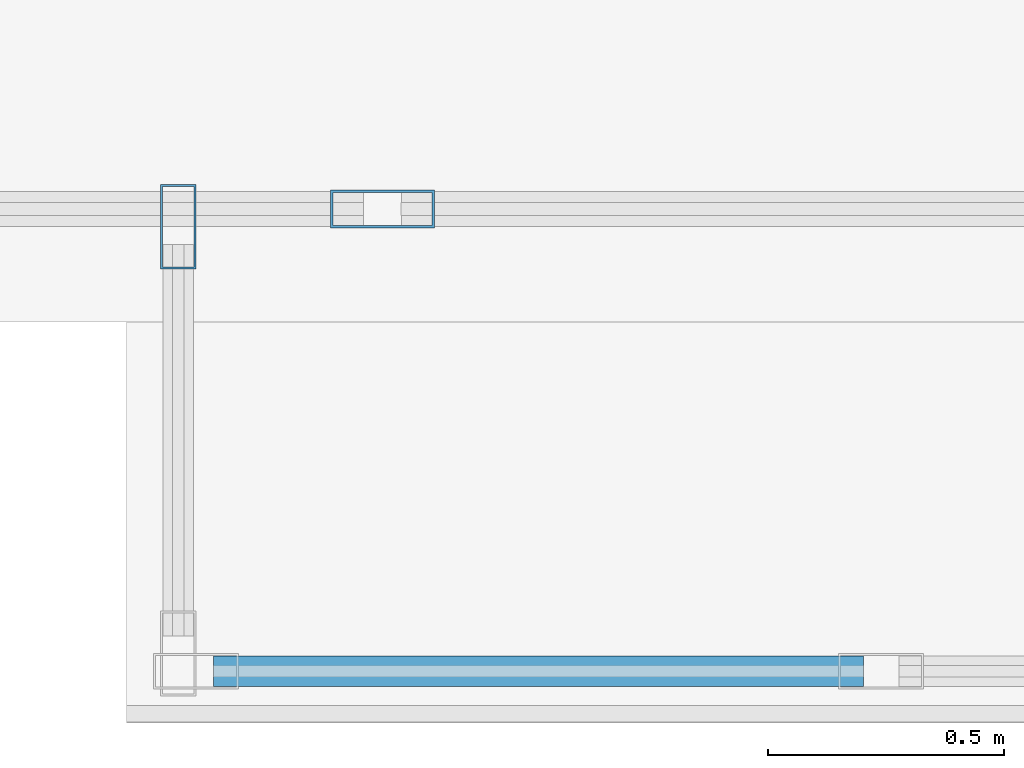
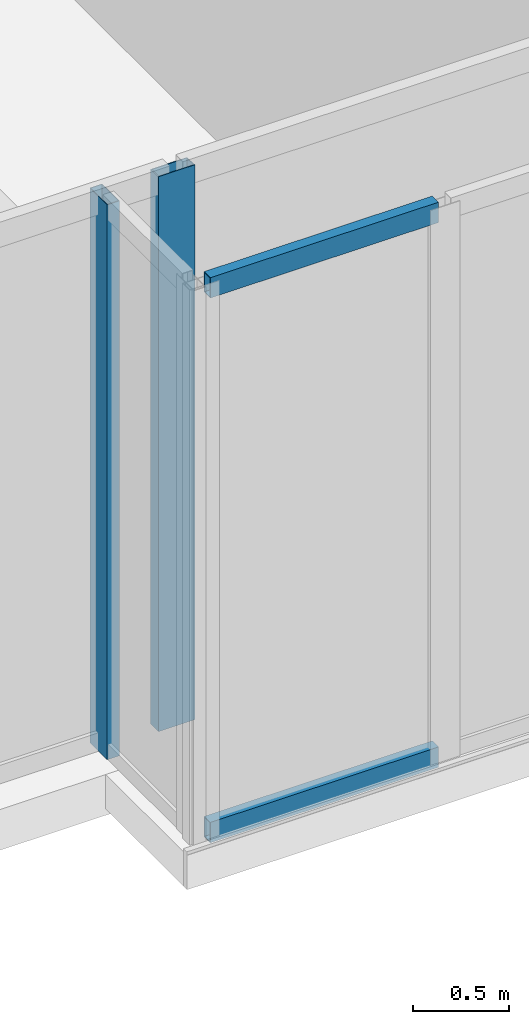
# One storey, part 5 of 29: 4 members, 3 elements without a shape of their own.
"""IFC4 building model written with IfcOpenShell, lengths in metres."""

from ifc_helpers import new_model, si_unit, direction, frame, origin, origin_with_axes, origin_2d, place, context, subcontext, project, spatial, hollow_rectangle, extrude, source, transform, mapped, material, layer, layer_set, material_profile, profile_set, type_object, element, aggregate, save


model = new_model("IFC4")

# Units and contexts
model_context = context("Model", 3, precision=1e-05, world=origin(), true_north=direction((0.0, 1.0)))
body_context = subcontext(model_context, "Body", "Model", "MODEL_VIEW")
ifc_project = project(units=[si_unit("LENGTHUNIT", "METRE"), si_unit("AREAUNIT", "SQUARE_METRE"), si_unit("VOLUMEUNIT", "CUBIC_METRE"), si_unit("PLANEANGLEUNIT", "RADIAN"), si_unit("MASSUNIT", "GRAM", prefix="KILO")], contexts=[model_context])

# Site, building, storey
site_placement = place(None, origin())
site = spatial("IfcSite", under=ifc_project, at=site_placement, CompositionType="ELEMENT")
building_placement = place(site_placement, origin())
building = spatial("IfcBuilding", under=site, at=building_placement, Name="Kolvaren Waterfront Exchange", CompositionType="ELEMENT")
storey_placement = place(building_placement, frame((0.0, 0.0, 129.699951171875)))
storey = spatial("IfcBuildingStorey", under=building, at=storey_placement, Name="L33", CompositionType="ELEMENT", Elevation=129.699951171875)

# Curtain wall, member
ifc_material_1 = material(Name="Anodised bronze aluminium 6063-T6", Category="aluminium")
ifc_layer_1 = layer(ifc_material_1, 0.219970703125, Name="Anodised bronze aluminium 6063-T6")
ifc_layer_set_1 = layer_set([ifc_layer_1], Name="Anodised bronze aluminium 6063-T6")
curtain_wall_type_1 = type_object("IfcCurtainWallType", Name="ARC-CW-SYS3", PredefinedType="USERDEFINED", material=ifc_layer_set_1)
curtain_wall_1_placement = place(storey_placement, origin())
curtain_wall_1 = element("IfcCurtainWall", 1, at=curtain_wall_1_placement, inside=storey, type_object=curtain_wall_type_1, Name="L33 stick curtain wall CW3 (CW-L33-BOX-W)", ObjectType="STICK CURTAIN WALL", PredefinedType="USERDEFINED")
ifc_material_profile_1 = material_profile(ifc_material_1, hollow_rectangle(XDim=0.074951171875, YDim=0.179931640625, WallThickness=0.00439453125, at=origin_2d()), Name="ALU-MUL-180x75x4.5")
ifc_profile_set_1 = profile_set([ifc_material_profile_1], Name="Anodised bronze aluminium 6063-T6")
member_type_1 = type_object("IfcMemberType", Name="ARC-CWM-180", PredefinedType="MULLION", material=ifc_profile_set_1)
shared_shape_1 = source(origin_with_axes(), body_context, "Body", "SweptSolid", [
    extrude(hollow_rectangle(XDim=0.074951171875, YDim=0.179931640625, WallThickness=0.00439453125, at=origin_2d()), origin(), (0.0, 0.0, 1.0), 3.5400390625),
])
member_1_placement = place(storey_placement, frame((32.409912109375, 3.802490234375, 0.0), z_axis=(0.0, 0.0, 1.0), x_axis=(1.0, 0.0, 0.0)))
member_1 = element("IfcMember", 2, at=member_1_placement, type_object=member_type_1, Name="CW3 mullion 1", PredefinedType="MULLION", context=body_context, shape_type="MappedRepresentation", body=[
    mapped(shared_shape_1, transform((0.0, 0.0, 0.0), x_axis=(1.0, 0.0, 0.0), y_axis=(0.0, 1.0, 0.0), z_axis=(0.0, 0.0, 1.0), scale=1.0)),
])
aggregate(curtain_wall_1, [member_1])

# Curtain wall, members
curtain_wall_2_placement = place(storey_placement, origin())
curtain_wall_2 = element("IfcCurtainWall", 3, at=curtain_wall_2_placement, inside=storey, type_object=curtain_wall_type_1, Name="L33 stick curtain wall CW3 (CW-L33-BOX)", ObjectType="STICK CURTAIN WALL", PredefinedType="USERDEFINED")
ifc_material_profile_2 = material_profile(ifc_material_1, hollow_rectangle(XDim=0.06494140625, YDim=0.1298828125, WallThickness=0.00390625, at=origin_2d()), Name="ALU-TRN-130x65x4")
ifc_profile_set_2 = profile_set([ifc_material_profile_2], Name="Anodised bronze aluminium 6063-T6")
member_type_2 = type_object("IfcMemberType", Name="ARC-CWT-130", PredefinedType="USERDEFINED", material=ifc_profile_set_2)
shared_shape_2 = source(origin_with_axes(), body_context, "Body", "SweptSolid", [
    extrude(hollow_rectangle(XDim=0.06494140625, YDim=0.1298828125, WallThickness=0.00390625, at=origin_2d()), origin(), (0.0, 0.0, 1.0), 1.37744140625),
])
member_2_placement = place(storey_placement, frame((32.485107421875, 2.860107421875, 0.032470703125), z_axis=(1.0, 0.0, 0.0), x_axis=(0.0, 1.0, 0.0)))
member_2 = element("IfcMember", 4, at=member_2_placement, type_object=member_type_2, Name="CW3 transom 1.1", ObjectType="TRANSOM", PredefinedType="USERDEFINED", context=body_context, shape_type="MappedRepresentation", body=[
    mapped(shared_shape_2, transform((0.0, 0.0, 0.0), x_axis=(1.0, 0.0, 0.0), y_axis=(0.0, 1.0, 0.0), z_axis=(0.0, 0.0, 1.0), scale=1.0)),
])
member_3_placement = place(storey_placement, frame((32.485107421875, 2.860107421875, 3.507568359375), z_axis=(1.0, 0.0, 0.0), x_axis=(0.0, 1.0, 0.0)))
member_3 = element("IfcMember", 5, at=member_3_placement, type_object=member_type_2, Name="CW3 transom 1.2", ObjectType="TRANSOM", PredefinedType="USERDEFINED", context=body_context, shape_type="MappedRepresentation", body=[
    mapped(shared_shape_2, transform((0.0, 0.0, 0.0), x_axis=(1.0, 0.0, 0.0), y_axis=(0.0, 1.0, 0.0), z_axis=(0.0, 0.0, 1.0), scale=1.0)),
])
aggregate(curtain_wall_2, [member_2, member_3])

# Curtain wall, member
ifc_layer_2 = layer(ifc_material_1, 0.219970703125, Name="Anodised bronze aluminium 6063-T6")
ifc_layer_set_2 = layer_set([ifc_layer_2], Name="Anodised bronze aluminium 6063-T6")
curtain_wall_type_2 = type_object("IfcCurtainWallType", Name="ARC-CW-SYS1", PredefinedType="USERDEFINED", material=ifc_layer_set_2)
curtain_wall_3_placement = place(storey_placement, origin())
curtain_wall_3 = element("IfcCurtainWall", 6, at=curtain_wall_3_placement, inside=storey, type_object=curtain_wall_type_2, Name="L33 stick curtain wall CW1 (CW-L33-S)", ObjectType="STICK CURTAIN WALL", PredefinedType="USERDEFINED")
ifc_material_2 = material(Name="Anodised aluminium 6063-T6", Category="aluminium")
ifc_material_profile_3 = material_profile(ifc_material_2, hollow_rectangle(XDim=0.080078125, YDim=0.219970703125, WallThickness=0.0048828125, at=origin_2d()), Name="ALU-MUL-220x80x5")
ifc_profile_set_3 = profile_set([ifc_material_profile_3], Name="Anodised aluminium 6063-T6")
member_type_3 = type_object("IfcMemberType", Name="ARC-CWM-220", PredefinedType="MULLION", material=ifc_profile_set_3)
shared_shape_3 = source(origin_with_axes(), body_context, "Body", "SweptSolid", [
    extrude(hollow_rectangle(XDim=0.080078125, YDim=0.219970703125, WallThickness=0.0048828125, at=origin_2d()), origin(), (0.0, 0.0, 1.0), 3.5400390625),
])
member_4_placement = place(storey_placement, frame((32.8427734375, 3.840087890625, 0.0), z_axis=(0.0, 0.0, 1.0), x_axis=(0.0, 1.0, 0.0)))
member_4 = element("IfcMember", 7, at=member_4_placement, type_object=member_type_3, Name="CW1 mullion 5", PredefinedType="MULLION", context=body_context, shape_type="MappedRepresentation", body=[
    mapped(shared_shape_3, transform((0.0, 0.0, 0.0), x_axis=(1.0, 0.0, 0.0), y_axis=(0.0, 1.0, 0.0), z_axis=(0.0, 0.0, 1.0), scale=1.0)),
])
aggregate(curtain_wall_3, [member_4])

save(model, "model.ifc")
